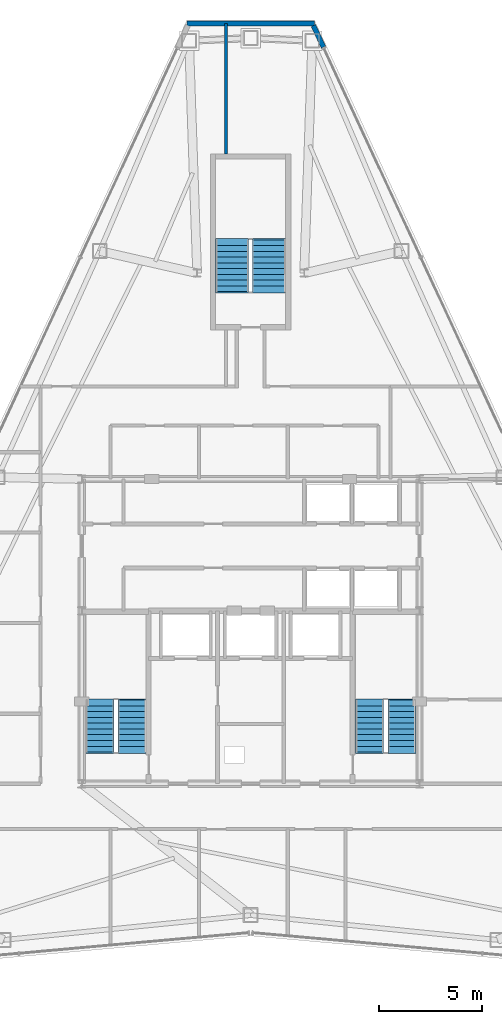
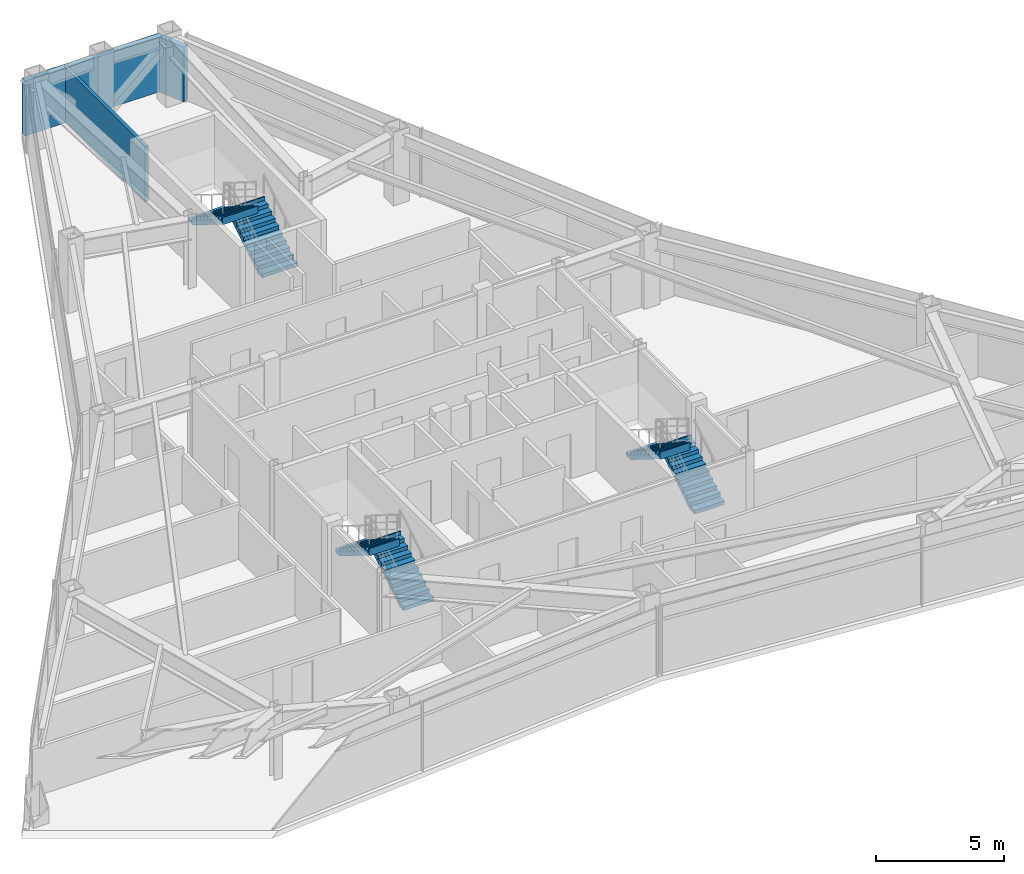
# One storey, part 11 of 12: 6 stair flights, 3 walls, 3 elements without a shape of their own.
"""IFC4 building model written with IfcOpenShell, lengths in metres."""

from ifc_helpers import new_model, si_unit, direction, frame, frame_2d, origin, place, context, subcontext, project, spatial, polyline, rectangle, outline, extrude, material, layer, layer_set, type_object, element, aggregate, save


model = new_model("IFC4")

# Units and contexts
model_context = context("Model", 3, precision=1e-05, world=origin(), true_north=direction((0.0, 1.0)))
body_context = subcontext(model_context, "Body", "Model", "MODEL_VIEW")
ifc_project = project(units=[si_unit("LENGTHUNIT", "METRE"), si_unit("AREAUNIT", "SQUARE_METRE"), si_unit("VOLUMEUNIT", "CUBIC_METRE"), si_unit("PLANEANGLEUNIT", "RADIAN"), si_unit("MASSUNIT", "GRAM", prefix="KILO")], contexts=[model_context])

# Site, building, storey
site_placement = place(None, origin())
site = spatial("IfcSite", under=ifc_project, at=site_placement, CompositionType="ELEMENT")
building_placement = place(site_placement, origin())
building = spatial("IfcBuilding", under=site, at=building_placement, Name="Varakhsha Concourse Tower", CompositionType="ELEMENT")
storey_placement = place(building_placement, frame((0.0, 0.0, 236.39990234375)))
storey = spatial("IfcBuildingStorey", under=building, at=storey_placement, Name="L67", CompositionType="ELEMENT", Elevation=236.39990234375)

# Walls
ifc_material_1 = material(Name="Concrete fc 45 MPa", Category="concrete")
ifc_layer_1 = layer(ifc_material_1, 0.239990234375, Name="WL-EXT-CRN-240")
ifc_layer_set_1 = layer_set([ifc_layer_1], Name="Concrete fc 45 MPa")
wall_type_1 = type_object("IfcWallType", Name="WL-EXT-CRN-240", PredefinedType="SHEAR", material=ifc_layer_set_1)
wall_1_placement = place(storey_placement, frame((36.89990234375, 53.33740234375, 0.0), z_axis=(0.0, 0.0, 1.0), x_axis=(1.0, 0.0, 0.0)))
element("IfcWall", 1, at=wall_1_placement, inside=storey, type_object=wall_type_1, Name="L67 Chamfer Wind-Corner Insulated Wall F1", PredefinedType="SHEAR", context=body_context, shape_type="SweptSolid", body=[
    extrude(rectangle(XDim=6.2001953125, YDim=0.239990234375, at=frame_2d((3.10009765625, 0.0))), origin(), (0.0, 0.0, 1.0), 2.623046875),
])
wall_2_placement = place(storey_placement, frame((43.538330078125, 52.171142578125, 0.0), z_axis=(0.0, 0.0, 1.0), x_axis=(-0.420502996462, 0.907291149503, 0.0)))
element("IfcWall", 2, at=wall_2_placement, inside=storey, type_object=wall_type_1, Name="L67 Wind-Corner Shoulder Wall F9", PredefinedType="SHEAR", context=body_context, shape_type="SweptSolid", body=[
    extrude(rectangle(XDim=1.16748046875, YDim=0.239990234375, at=frame_2d((0.583740234375, 0.0))), origin(), (0.0, 0.0, 1.0), 2.623046875),
])
ifc_material_2 = material(Name="Fire-Rated Type X Gypsum Partition Assembly", Category="gypsum")
ifc_layer_2 = layer(ifc_material_2, 0.14990234375, Name="WL-PART-150")
ifc_layer_set_2 = layer_set([ifc_layer_2], Name="Fire-Rated Type X Gypsum Partition Assembly")
wall_type_2 = type_object("IfcWallType", Name="WL-PART-150", PredefinedType="PARTITIONING", material=ifc_layer_set_2)
wall_3_placement = place(storey_placement, frame((38.800048828125, 47.0, 0.0), z_axis=(0.0, 0.0, 1.0), x_axis=(0.0, 1.0, 0.0)))
element("IfcWall", 3, at=wall_3_placement, inside=storey, type_object=wall_type_2, Name="L67 Wall ODIV-N1-L67-B", PredefinedType="PARTITIONING", context=body_context, shape_type="SweptSolid", body=[
    extrude(rectangle(XDim=6.332275390625, YDim=0.14990234375, at=frame_2d((3.166015625, 0.0))), origin(), (0.0, 0.0, 1.0), 2.628173828125),
])

# Stair, stair flights
stair_type_1 = type_object("IfcStairType", Name="ST-DOGLEG-1360", PredefinedType="HALF_TURN_STAIR", material=ifc_material_1)
stair_1_placement = place(storey_placement, origin())
stair_1 = element("IfcStair", 4, at=stair_1_placement, inside=storey, type_object=stair_type_1, Name="L67 Protected Exit Stair ST1", PredefinedType="HALF_TURN_STAIR")
stair_flight_type_1 = type_object("IfcStairFlightType", Name="STF-1360-R1750", PredefinedType="STRAIGHT", material=ifc_material_1)
stair_flight_1_placement = place(storey_placement, frame((34.239990234375, 17.93994140625, 0.0), z_axis=(0.0, 0.0, 1.0), x_axis=(0.0, 1.0, 0.0)))
stair_flight_1 = element("IfcStairFlight", 5, at=stair_flight_1_placement, type_object=stair_flight_type_1, Name="ST1 flight 1", NumberOfRisers=10, NumberOfTreads=9, PredefinedType="STRAIGHT", RiserHeight=0.175, TreadLength=0.28, context=body_context, shape_type="SweptSolid", body=[
    extrude(outline(polyline([(-0.06005859375, 0.0), (-0.06005859375, 0.175048828125), (0.0, 0.175048828125), (0.280029296875, 0.175048828125), (0.280029296875, 0.35009765625), (0.56005859375, 0.35009765625), (0.56005859375, 0.52490234375), (0.840087890625, 0.52490234375), (0.840087890625, 0.699951171875), (1.1201171875, 0.699951171875), (1.1201171875, 0.875), (1.39990234375, 0.875), (1.39990234375, 1.050048828125), (1.679931640625, 1.050048828125), (1.679931640625, 1.22509765625), (1.9599609375, 1.22509765625), (1.9599609375, 1.39990234375), (2.239990234375, 1.39990234375), (2.239990234375, 1.574951171875), (2.52001953125, 1.574951171875), (2.52001953125, 1.75), (2.580078125, 1.75), (2.580078125, 1.398193359375), (2.52001953125, 1.398193359375), (0.28271484375, 0.0), (-0.06005859375, 0.0)])), frame((0.0, 0.68017578125, 0.0), z_axis=(0.0, -1.0, 0.0), x_axis=(1.0, 0.0, 0.0)), (0.0, 0.0, 1.0), 1.360107421875),
])
stair_flight_2_placement = place(storey_placement, frame((32.679931640625, 20.4599609375, 1.75), z_axis=(0.0, 0.0, 1.0), x_axis=(0.0, -1.0, 0.0)))
stair_flight_2 = element("IfcStairFlight", 6, at=stair_flight_2_placement, type_object=stair_flight_type_1, Name="ST1 flight 2", NumberOfRisers=10, NumberOfTreads=9, PredefinedType="STRAIGHT", RiserHeight=0.175, TreadLength=0.28, context=body_context, shape_type="SweptSolid", body=[
    extrude(outline(polyline([(-0.06005859375, 0.0), (-0.06005859375, 0.175048828125), (0.0, 0.175048828125), (0.280029296875, 0.175048828125), (0.280029296875, 0.35009765625), (0.56005859375, 0.35009765625), (0.56005859375, 0.52490234375), (0.840087890625, 0.52490234375), (0.840087890625, 0.699951171875), (1.1201171875, 0.699951171875), (1.1201171875, 0.875), (1.39990234375, 0.875), (1.39990234375, 1.050048828125), (1.679931640625, 1.050048828125), (1.679931640625, 1.22509765625), (1.9599609375, 1.22509765625), (1.9599609375, 1.39990234375), (2.239990234375, 1.39990234375), (2.239990234375, 1.574951171875), (2.52001953125, 1.574951171875), (2.52001953125, 1.75), (2.580078125, 1.75), (2.580078125, 1.398193359375), (2.52001953125, 1.398193359375), (0.28271484375, 0.0), (-0.06005859375, 0.0)])), frame((0.0, 0.68017578125, 0.0), z_axis=(0.0, -1.0, 0.0), x_axis=(1.0, 0.0, 0.0)), (0.0, 0.0, 1.0), 1.360107421875),
])
aggregate(stair_1, [stair_flight_1, stair_flight_2])

stair_2_placement = place(storey_placement, origin())
stair_2 = element("IfcStair", 7, at=stair_2_placement, inside=storey, type_object=stair_type_1, Name="L67 Protected Exit Stair ST2", PredefinedType="HALF_TURN_STAIR")
stair_flight_3_placement = place(storey_placement, frame((47.340087890625, 17.93994140625, 0.0), z_axis=(0.0, 0.0, 1.0), x_axis=(0.0, 1.0, 0.0)))
stair_flight_3 = element("IfcStairFlight", 8, at=stair_flight_3_placement, type_object=stair_flight_type_1, Name="ST2 flight 1", NumberOfRisers=10, NumberOfTreads=9, PredefinedType="STRAIGHT", RiserHeight=0.175, TreadLength=0.28, context=body_context, shape_type="SweptSolid", body=[
    extrude(outline(polyline([(-0.06005859375, 0.0), (-0.06005859375, 0.175048828125), (0.0, 0.175048828125), (0.280029296875, 0.175048828125), (0.280029296875, 0.35009765625), (0.56005859375, 0.35009765625), (0.56005859375, 0.52490234375), (0.840087890625, 0.52490234375), (0.840087890625, 0.699951171875), (1.1201171875, 0.699951171875), (1.1201171875, 0.875), (1.39990234375, 0.875), (1.39990234375, 1.050048828125), (1.679931640625, 1.050048828125), (1.679931640625, 1.22509765625), (1.9599609375, 1.22509765625), (1.9599609375, 1.39990234375), (2.239990234375, 1.39990234375), (2.239990234375, 1.574951171875), (2.52001953125, 1.574951171875), (2.52001953125, 1.75), (2.580078125, 1.75), (2.580078125, 1.398193359375), (2.52001953125, 1.398193359375), (0.28271484375, 0.0), (-0.06005859375, 0.0)])), frame((0.0, 0.68017578125, 0.0), z_axis=(0.0, -1.0, 0.0), x_axis=(1.0, 0.0, 0.0)), (0.0, 0.0, 1.0), 1.360107421875),
])
stair_flight_4_placement = place(storey_placement, frame((45.780029296875, 20.4599609375, 1.75), z_axis=(0.0, 0.0, 1.0), x_axis=(0.0, -1.0, 0.0)))
stair_flight_4 = element("IfcStairFlight", 9, at=stair_flight_4_placement, type_object=stair_flight_type_1, Name="ST2 flight 2", NumberOfRisers=10, NumberOfTreads=9, PredefinedType="STRAIGHT", RiserHeight=0.175, TreadLength=0.28, context=body_context, shape_type="SweptSolid", body=[
    extrude(outline(polyline([(-0.06005859375, 0.0), (-0.06005859375, 0.175048828125), (0.0, 0.175048828125), (0.280029296875, 0.175048828125), (0.280029296875, 0.35009765625), (0.56005859375, 0.35009765625), (0.56005859375, 0.52490234375), (0.840087890625, 0.52490234375), (0.840087890625, 0.699951171875), (1.1201171875, 0.699951171875), (1.1201171875, 0.875), (1.39990234375, 0.875), (1.39990234375, 1.050048828125), (1.679931640625, 1.050048828125), (1.679931640625, 1.22509765625), (1.9599609375, 1.22509765625), (1.9599609375, 1.39990234375), (2.239990234375, 1.39990234375), (2.239990234375, 1.574951171875), (2.52001953125, 1.574951171875), (2.52001953125, 1.75), (2.580078125, 1.75), (2.580078125, 1.398193359375), (2.52001953125, 1.398193359375), (0.28271484375, 0.0), (-0.06005859375, 0.0)])), frame((0.0, 0.68017578125, 0.0), z_axis=(0.0, -1.0, 0.0), x_axis=(1.0, 0.0, 0.0)), (0.0, 0.0, 1.0), 1.360107421875),
])
aggregate(stair_2, [stair_flight_3, stair_flight_4])

stair_type_2 = type_object("IfcStairType", Name="ST-DOGLEG-1600", PredefinedType="HALF_TURN_STAIR", material=ifc_material_1)
stair_3_placement = place(storey_placement, origin())
stair_3 = element("IfcStair", 10, at=stair_3_placement, inside=storey, type_object=stair_type_2, Name="L67 Protected Exit Stair ST5", PredefinedType="HALF_TURN_STAIR")
stair_flight_type_2 = type_object("IfcStairFlightType", Name="STF-1600-R1750", PredefinedType="STRAIGHT", material=ifc_material_1)
stair_flight_5_placement = place(storey_placement, frame((40.89990234375, 40.300048828125, 0.0), z_axis=(0.0, 0.0, 1.0), x_axis=(0.0, 1.0, 0.0)))
stair_flight_5 = element("IfcStairFlight", 11, at=stair_flight_5_placement, type_object=stair_flight_type_2, Name="ST5 flight 1", NumberOfRisers=10, NumberOfTreads=9, PredefinedType="STRAIGHT", RiserHeight=0.175, TreadLength=0.28, context=body_context, shape_type="SweptSolid", body=[
    extrude(outline(polyline([(-0.06005859375, 0.0), (-0.06005859375, 0.175048828125), (0.0, 0.175048828125), (0.280029296875, 0.175048828125), (0.280029296875, 0.35009765625), (0.56005859375, 0.35009765625), (0.56005859375, 0.52490234375), (0.840087890625, 0.52490234375), (0.840087890625, 0.699951171875), (1.1201171875, 0.699951171875), (1.1201171875, 0.875), (1.39990234375, 0.875), (1.39990234375, 1.050048828125), (1.679931640625, 1.050048828125), (1.679931640625, 1.22509765625), (1.9599609375, 1.22509765625), (1.9599609375, 1.39990234375), (2.239990234375, 1.39990234375), (2.239990234375, 1.574951171875), (2.52001953125, 1.574951171875), (2.52001953125, 1.75), (2.580078125, 1.75), (2.580078125, 1.398193359375), (2.52001953125, 1.398193359375), (0.28271484375, 0.0), (-0.06005859375, 0.0)])), frame((0.0, 0.800048828125, 0.0), z_axis=(0.0, -1.0, 0.0), x_axis=(1.0, 0.0, 0.0)), (0.0, 0.0, 1.0), 1.60009765625),
])
stair_flight_6_placement = place(storey_placement, frame((39.10009765625, 42.820068359375, 1.75), z_axis=(0.0, 0.0, 1.0), x_axis=(0.0, -1.0, 0.0)))
stair_flight_6 = element("IfcStairFlight", 12, at=stair_flight_6_placement, type_object=stair_flight_type_2, Name="ST5 flight 2", NumberOfRisers=10, NumberOfTreads=9, PredefinedType="STRAIGHT", RiserHeight=0.175, TreadLength=0.28, context=body_context, shape_type="SweptSolid", body=[
    extrude(outline(polyline([(-0.06005859375, 0.0), (-0.06005859375, 0.175048828125), (0.0, 0.175048828125), (0.280029296875, 0.175048828125), (0.280029296875, 0.35009765625), (0.56005859375, 0.35009765625), (0.56005859375, 0.52490234375), (0.840087890625, 0.52490234375), (0.840087890625, 0.699951171875), (1.1201171875, 0.699951171875), (1.1201171875, 0.875), (1.39990234375, 0.875), (1.39990234375, 1.050048828125), (1.679931640625, 1.050048828125), (1.679931640625, 1.22509765625), (1.9599609375, 1.22509765625), (1.9599609375, 1.39990234375), (2.239990234375, 1.39990234375), (2.239990234375, 1.574951171875), (2.52001953125, 1.574951171875), (2.52001953125, 1.75), (2.580078125, 1.75), (2.580078125, 1.398193359375), (2.52001953125, 1.398193359375), (0.28271484375, 0.0), (-0.06005859375, 0.0)])), frame((0.0, 0.800048828125, 0.0), z_axis=(0.0, -1.0, 0.0), x_axis=(1.0, 0.0, 0.0)), (0.0, 0.0, 1.0), 1.60009765625),
])
aggregate(stair_3, [stair_flight_5, stair_flight_6])

save(model, "model.ifc")
